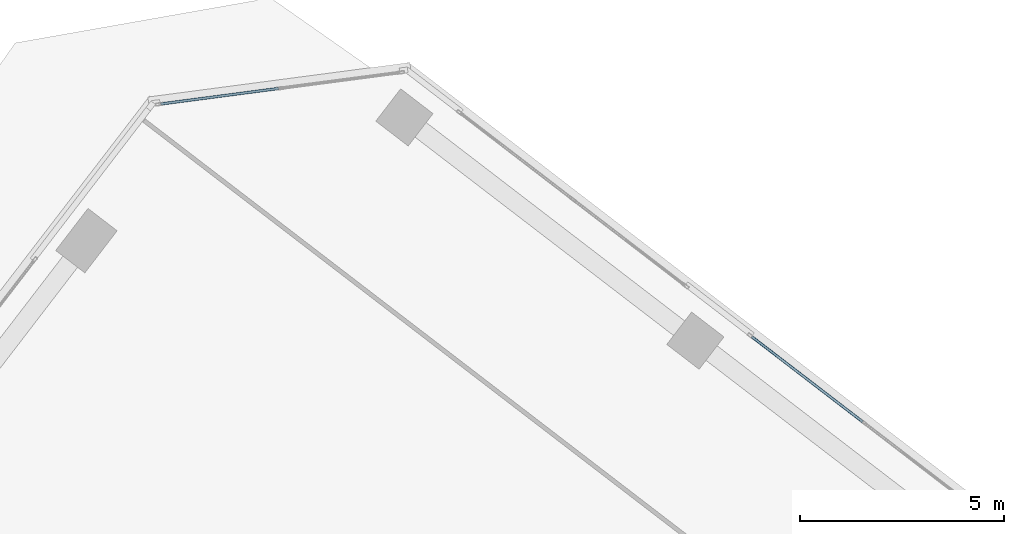
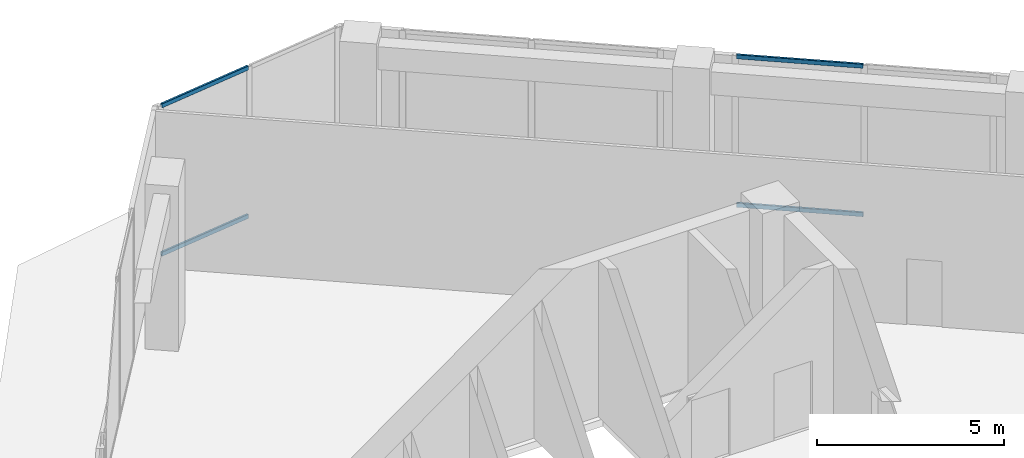
# One storey, part 13 of 23: 4 members, 2 elements without a shape of their own.
"""IFC4 building model written with IfcOpenShell, lengths in metres."""

import ifcopenshell
import ifcopenshell.guid

model = None  # the IFC model being written
_history = None  # IfcOwnerHistory: only IFC2X3 demands one
_inside = {}  # id of a spatial element -> (the spatial element, [elements in it])
_under = {}  # id of a project, library or spatial element -> (it, [spatial elements below it])
_declared = {}  # id of a project -> (the project, [libraries it declares])
_typed = {}  # id of a type object -> (the type object, [elements of that type])
_made_of = {}  # id of a material, layer set ... -> (it, [elements and type objects made of it])


def new_model(schema):
    """Start an empty IFC model of exactly this schema.

    Asked for "IFC4X3", IfcOpenShell would pick the latest addendum, in which some entities
    have other attributes; the version numbers below select the first issue.
    IFC2X3 requires an IfcOwnerHistory on every rooted entity: one is made here for all.
    """
    global model, _history
    if schema == "IFC4X3":
        model = ifcopenshell.file(schema_version=(4, 3, 0, 0))
    else:
        model = ifcopenshell.file(schema=schema)
    _inside.clear()
    _under.clear()
    _declared.clear()
    _typed.clear()
    _made_of.clear()
    _history = None
    if model.schema == "IFC2X3":
        org = make("IfcOrganization", Name="unknown")
        user = make(
            "IfcPersonAndOrganization",
            ThePerson=make("IfcPerson", FamilyName="unknown"),
            TheOrganization=org,
        )
        app = make(
            "IfcApplication",
            ApplicationDeveloper=org,
            Version="unknown",
            ApplicationFullName="unknown",
            ApplicationIdentifier="unknown",
        )
        _history = make(
            "IfcOwnerHistory",
            OwningUser=user,
            OwningApplication=app,
            ChangeAction="ADDED",
            CreationDate=0,
        )
    return model


def make(cls, **values):
    """One entity of the class cls with the attributes given. An attribute that is None is left unset."""
    return model.create_entity(
        cls, **{name: value for name, value in values.items() if value is not None}
    )


def rooted(cls, **values):
    """An entity with a GlobalId (a new one), such as an element, a storey or a relation."""
    return make(cls, GlobalId=ifcopenshell.guid.new(), OwnerHistory=_history, **values)


def si_unit(unit_type, name, prefix=None):
    """IfcSIUnit, for example si_unit("LENGTHUNIT", "METRE", prefix="MILLI")."""
    return make("IfcSIUnit", UnitType=unit_type, Prefix=prefix, Name=name)


def assignment(units):
    """IfcUnitAssignment: the units of a project."""
    return None if units is None else make("IfcUnitAssignment", Units=units)


def point(xyz):
    """IfcCartesianPoint."""
    return None if xyz is None else make("IfcCartesianPoint", Coordinates=xyz)


def direction(xyz):
    """IfcDirection."""
    return None if xyz is None else make("IfcDirection", DirectionRatios=xyz)


def frame(location, z_axis=None, x_axis=None):
    """IfcAxis2Placement3D, a coordinate frame: its origin and axes. An axis left out is left unset."""
    return make(
        "IfcAxis2Placement3D",
        Location=point(location),
        Axis=direction(z_axis),
        RefDirection=direction(x_axis),
    )


def frame_2d(location, x_axis=None):
    """IfcAxis2Placement2D, a coordinate frame in the plane: its origin and x axis."""
    return make(
        "IfcAxis2Placement2D", Location=point(location), RefDirection=direction(x_axis)
    )


def origin():
    """The frame at (0, 0, 0) with its axes left unset."""
    return frame((0.0, 0.0, 0.0))


def origin_2d():
    """The frame at (0, 0) in the plane with its x axis left unset."""
    return frame_2d((0.0, 0.0))


def place(relative_to, where):
    """IfcLocalPlacement: puts the frame where relative to a parent placement (None: the world)."""
    return make(
        "IfcLocalPlacement", PlacementRelTo=relative_to, RelativePlacement=where
    )


def context(
    kind, dimensions, precision=None, world=None, true_north=None, identifier=None
):
    """IfcGeometricRepresentationContext, for example the 3D "Model" context."""
    return make(
        "IfcGeometricRepresentationContext",
        ContextIdentifier=identifier,
        ContextType=kind,
        CoordinateSpaceDimension=dimensions,
        Precision=precision,
        WorldCoordinateSystem=world,
        TrueNorth=true_north,
    )


def subcontext(parent, identifier, kind, view, scale=None):
    """IfcGeometricRepresentationSubContext, for example "Body" below "Model"."""
    return make(
        "IfcGeometricRepresentationSubContext",
        ContextIdentifier=identifier,
        ContextType=kind,
        ParentContext=parent,
        TargetScale=scale,
        TargetView=view,
    )


def project(units=None, contexts=None):
    """IfcProject with its units and contexts."""
    return rooted(
        "IfcProject",
        Name="project",
        RepresentationContexts=contexts,
        UnitsInContext=assignment(units),
    )


def spatial(cls, under=None, at=None, **own):
    """A site, building, storey or space (cls), placed at a placement, below another one or the project."""
    s = rooted(cls, ObjectPlacement=at, **own)
    if under is not None:
        _under.setdefault(under.id(), (under, []))[1].append(s)
    return s


def profile(cls, at=None, kind="AREA", **sizes):
    """A parametric profile (cls). Its sizes go by their IFC names, for example OverallWidth=200.0."""
    return make(cls, ProfileType=kind, Position=at, **sizes)


def hollow_rectangle(**sizes):
    """IfcRectangleHollowProfileDef."""
    return profile("IfcRectangleHollowProfileDef", **sizes)


def extrude(swept, where, along, depth):
    """IfcExtrudedAreaSolid: the profile swept, set in the frame where, extruded along a direction by depth."""
    return make(
        "IfcExtrudedAreaSolid",
        SweptArea=swept,
        Position=where,
        ExtrudedDirection=direction(along),
        Depth=depth,
    )


def shape(context_of_items, identifier, shape_type, items):
    """IfcShapeRepresentation: the items that make up one representation, for example the "Body"."""
    return make(
        "IfcShapeRepresentation",
        ContextOfItems=context_of_items,
        RepresentationIdentifier=identifier,
        RepresentationType=shape_type,
        Items=items,
    )


def source(mapping_origin, context_of_items, identifier, shape_type, items):
    """IfcRepresentationMap: a shape defined once, which mapped items show again and again."""
    return make(
        "IfcRepresentationMap",
        MappingOrigin=mapping_origin,
        MappedRepresentation=shape(context_of_items, identifier, shape_type, items),
    )


def transform(
    local_origin,
    x_axis=None,
    y_axis=None,
    z_axis=None,
    scale=None,
    scale2=None,
    scale3=None,
    uniform=True,
):
    """IfcCartesianTransformationOperator3D, or its non-uniform kind. x_axis, y_axis, z_axis: its Axis1, 2, 3."""
    if uniform:
        return make(
            "IfcCartesianTransformationOperator3D",
            Axis1=direction(x_axis),
            Axis2=direction(y_axis),
            LocalOrigin=point(local_origin),
            Scale=scale,
            Axis3=direction(z_axis),
        )
    return make(
        "IfcCartesianTransformationOperator3DnonUniform",
        Axis1=direction(x_axis),
        Axis2=direction(y_axis),
        LocalOrigin=point(local_origin),
        Scale=scale,
        Axis3=direction(z_axis),
        Scale2=scale2,
        Scale3=scale3,
    )


def mapped(mapping_source, mapping_target):
    """IfcMappedItem: shows the shape of a source again, moved by a transform."""
    return make(
        "IfcMappedItem", MappingSource=mapping_source, MappingTarget=mapping_target
    )


def material(Name=None, Category=None):
    """IfcMaterial."""
    return make("IfcMaterial", Name=Name, Category=Category)


def material_profile(
    of_material, cross_section, Name=None, Category=None, Priority=None
):
    """IfcMaterialProfile: a cross section and its material."""
    return make(
        "IfcMaterialProfile",
        Name=Name,
        Material=of_material,
        Profile=cross_section,
        Priority=Priority,
        Category=Category,
    )


def profile_set(profiles, Name=None, composite=None):
    """IfcMaterialProfileSet."""
    return make(
        "IfcMaterialProfileSet",
        Name=Name,
        MaterialProfiles=profiles,
        CompositeProfile=composite,
    )


def made_of(thing, what):
    """Note that an element or type object is made of a material, layer set ...; save() writes the relation."""
    if what is not None:
        _made_of.setdefault(what.id(), (what, []))[1].append(thing)
    return thing


def type_object(cls, material=None, **own):
    """A type object (cls), such as IfcWallType, which elements share."""
    return made_of(rooted(cls, **own), material)


def element(
    cls,
    number,
    at=None,
    inside=None,
    cuts=None,
    type_object=None,
    material=None,
    context=None,
    identifier="Body",
    shape_type=None,
    held_by="IfcProductDefinitionShape",
    body=None,
    shapes=None,
    **own,
):
    """One element of the class cls, such as IfcWall. Its Tag is "e" and its number.

    at: its placement. inside: the storey or other place that contains it. cuts: it is an
    opening in that element (IfcRelVoidsElement). A single representation is given by context,
    identifier, shape_type and body (its items); several are given by shapes. held_by: the class
    of the entity that holds the representations. save() writes the other relations.
    """
    e = rooted(cls, Tag="e%d" % number, ObjectPlacement=at, **own)
    if body is not None:
        shapes = [shape(context, identifier, shape_type, body)]
    if shapes is not None:
        e.Representation = make(held_by, Representations=shapes)
    if inside is not None:
        _inside.setdefault(inside.id(), (inside, []))[1].append(e)
    if cuts is not None:
        rooted(
            "IfcRelVoidsElement", RelatingBuildingElement=cuts, RelatedOpeningElement=e
        )
    if type_object is not None:
        _typed.setdefault(type_object.id(), (type_object, []))[1].append(e)
    return made_of(e, material)


def aggregate(whole, parts):
    """IfcRelAggregates: a whole, such as a stair, and the parts it consists of."""
    return rooted("IfcRelAggregates", RelatingObject=whole, RelatedObjects=parts)


def save(model, path):
    """Write the relations noted so far, then the file.

    IfcRelAggregates (storeys below a building ...), IfcRelContainedInSpatialStructure (elements
    in a storey), IfcRelDefinesByType, IfcRelAssociatesMaterial and IfcRelDeclares: one each for
    every whole, place, type object, material and project.
    """
    for whole, parts in _under.values():
        aggregate(whole, parts)
    for where, things in _inside.values():
        rooted(
            "IfcRelContainedInSpatialStructure",
            RelatedElements=things,
            RelatingStructure=where,
        )
    for kind, things in _typed.values():
        rooted("IfcRelDefinesByType", RelatedObjects=things, RelatingType=kind)
    for what, things in _made_of.values():
        rooted("IfcRelAssociatesMaterial", RelatedObjects=things, RelatingMaterial=what)
    for by, libraries in _declared.values():
        rooted("IfcRelDeclares", RelatingContext=by, RelatedDefinitions=libraries)
    model.write(path)


model = new_model("IFC4")

# Units and contexts
model_context = context("Model", 3, precision=1e-05, world=origin(), true_north=direction((0.0, 1.0)))
body_context = subcontext(model_context, "Body", "Model", "MODEL_VIEW")
ifc_project = project(units=[si_unit("LENGTHUNIT", "METRE"), si_unit("AREAUNIT", "SQUARE_METRE"), si_unit("VOLUMEUNIT", "CUBIC_METRE"), si_unit("PLANEANGLEUNIT", "RADIAN"), si_unit("MASSUNIT", "GRAM", prefix="KILO")], contexts=[model_context])

# Site, building, storey
site_placement = place(None, origin())
site = spatial("IfcSite", under=ifc_project, at=site_placement, CompositionType="ELEMENT")
building_placement = place(site_placement, origin())
building = spatial("IfcBuilding", under=site, at=building_placement, Name="Torre Montelarca", CompositionType="ELEMENT")
storey_placement = place(building_placement, frame((0.0, 0.0, 204.39990234375)))
storey = spatial("IfcBuildingStorey", under=building, at=storey_placement, Name="L46", CompositionType="ELEMENT", Elevation=204.39990234375)

# Curtain wall, members
ifc_material_1 = material(Name="Insulated low-E laminated glass", Category="glass")
curtain_wall_type = type_object("IfcCurtainWallType", Name="CW-SYS-Z2", PredefinedType="USERDEFINED", material=ifc_material_1)
curtain_wall_1_placement = place(storey_placement, origin())
curtain_wall_1 = element("IfcCurtainWall", 1, at=curtain_wall_1_placement, inside=storey, type_object=curtain_wall_type, Name="L46 Curtain Wall Run CW-T3-L46-E09-B1", ObjectType="UNITISED GLAZING", PredefinedType="USERDEFINED")
ifc_material_2 = material(Name="Anodised aluminium AA 6063-T6", Category="aluminium")
ifc_material_profile = material_profile(ifc_material_2, hollow_rectangle(XDim=0.06494140625, YDim=0.139892578125, WallThickness=0.00390625, InnerFilletRadius=0.00390625, OuterFilletRadius=0.008056640625, at=origin_2d()), Name="ALU65X140X4", Category="aluminium")
ifc_profile_set = profile_set([ifc_material_profile], Name="Anodised aluminium AA 6063-T6")
member_type = type_object("IfcMemberType", Name="CWT-ALU140", PredefinedType="USERDEFINED", material=ifc_profile_set)
shared_shape_1 = source(origin(), body_context, "Body", "SweptSolid", [
    extrude(hollow_rectangle(XDim=0.06494140625, YDim=0.139892578125, WallThickness=0.00390625, InnerFilletRadius=0.00390625, OuterFilletRadius=0.008056640625, at=origin_2d()), origin(), (0.0, 0.0, 1.0), 2.918701171875),
])
member_1_placement = place(storey_placement, frame((17.7197265625, 52.339599609375, 0.03271484375), z_axis=(-0.991439199861, -0.130569188474, 0.0), x_axis=(0.130569188474, -0.991439199861, 0.0)))
member_1 = element("IfcMember", 2, at=member_1_placement, type_object=member_type, Name="CW transom 2.1", ObjectType="TRANSOM", PredefinedType="USERDEFINED", context=body_context, shape_type="MappedRepresentation", body=[
    mapped(shared_shape_1, transform((0.0, 0.0, 0.0), scale=1.0)),
])
member_2_placement = place(storey_placement, frame((17.7197265625, 52.339599609375, 4.8876953125), z_axis=(-0.991439199861, -0.130569188474, 0.0), x_axis=(0.130569188474, -0.991439199861, 0.0)))
member_2 = element("IfcMember", 3, at=member_2_placement, type_object=member_type, Name="CW transom 2.2", ObjectType="TRANSOM", PredefinedType="USERDEFINED", context=body_context, shape_type="MappedRepresentation", body=[
    mapped(shared_shape_1, transform((0.0, 0.0, 0.0), scale=1.0)),
])
aggregate(curtain_wall_1, [member_1, member_2])

curtain_wall_2_placement = place(storey_placement, origin())
curtain_wall_2 = element("IfcCurtainWall", 4, at=curtain_wall_2_placement, inside=storey, type_object=curtain_wall_type, Name="L46 Curtain Wall Run CW-T3-L46-E08-B3", ObjectType="UNITISED GLAZING", PredefinedType="USERDEFINED")
shared_shape_2 = source(origin(), body_context, "Body", "SweptSolid", [
    extrude(hollow_rectangle(XDim=0.06494140625, YDim=0.139892578125, WallThickness=0.00390625, InnerFilletRadius=0.00390625, OuterFilletRadius=0.008056640625, at=origin_2d()), origin(), (0.0, 0.0, 1.0), 3.422607421875),
])
member_3_placement = place(storey_placement, frame((32.05029296875, 44.16015625, 0.03271484375), z_axis=(-0.793360601133, 0.608751966379, 0.0), x_axis=(-0.608751966379, -0.793360601133, 0.0)))
member_3 = element("IfcMember", 5, at=member_3_placement, type_object=member_type, Name="CW transom 2.1", ObjectType="TRANSOM", PredefinedType="USERDEFINED", context=body_context, shape_type="MappedRepresentation", body=[
    mapped(shared_shape_2, transform((0.0, 0.0, 0.0), scale=1.0)),
])
member_4_placement = place(storey_placement, frame((32.05029296875, 44.16015625, 4.8876953125), z_axis=(-0.793360601133, 0.608751966379, 0.0), x_axis=(-0.608751966379, -0.793360601133, 0.0)))
member_4 = element("IfcMember", 6, at=member_4_placement, type_object=member_type, Name="CW transom 2.2", ObjectType="TRANSOM", PredefinedType="USERDEFINED", context=body_context, shape_type="MappedRepresentation", body=[
    mapped(shared_shape_2, transform((0.0, 0.0, 0.0), scale=1.0)),
])
aggregate(curtain_wall_2, [member_3, member_4])

save(model, "model.ifc")
